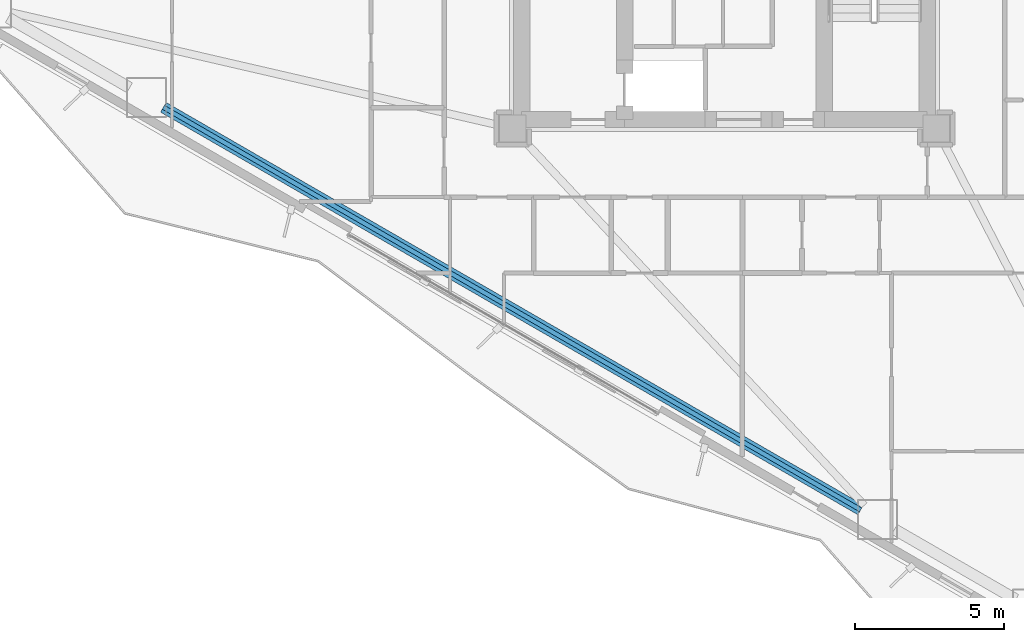
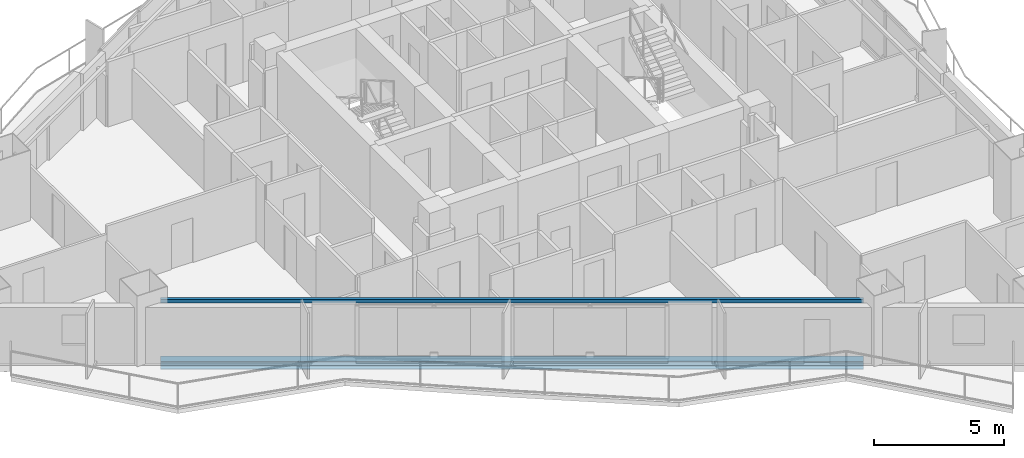
# One storey, part 3 of 19: 2 beams.
"""IFC4 building model written with IfcOpenShell, lengths in metres."""

from ifc_helpers import new_model, si_unit, direction, frame, origin, origin_2d, place, context, subcontext, project, spatial, hollow_rectangle, i_section, extrude, material, material_profile, profile_set, type_object, element, save


model = new_model("IFC4")

# Units and contexts
model_context = context("Model", 3, precision=1e-05, world=origin(), true_north=direction((0.0, 1.0)))
body_context = subcontext(model_context, "Body", "Model", "MODEL_VIEW")
ifc_project = project(units=[si_unit("LENGTHUNIT", "METRE"), si_unit("AREAUNIT", "SQUARE_METRE"), si_unit("VOLUMEUNIT", "CUBIC_METRE"), si_unit("PLANEANGLEUNIT", "RADIAN"), si_unit("MASSUNIT", "GRAM", prefix="KILO")], contexts=[model_context])

# Site, building, storey
site_placement = place(None, origin())
site = spatial("IfcSite", under=ifc_project, at=site_placement, CompositionType="ELEMENT")
building_placement = place(site_placement, origin())
building = spatial("IfcBuilding", under=site, at=building_placement, Name="Mersakhor Tower and Convention Hall", CompositionType="ELEMENT")
storey_placement = place(building_placement, frame((0.0, 0.0, 22.5)))
storey = spatial("IfcBuildingStorey", under=building, at=storey_placement, Name="L05", CompositionType="ELEMENT", Elevation=22.5)

# Beams
ifc_material_1 = material(Name="Steel S355", Category="steel")
ifc_material_profile_1 = material_profile(ifc_material_1, hollow_rectangle(XDim=0.14990234375, YDim=0.14990234375, WallThickness=0.010009765625, at=origin_2d()), Name="SHS 150x150x10")
ifc_profile_set_1 = profile_set([ifc_material_profile_1], Name="Steel S355")
beam_type_1 = type_object("IfcBeamType", Name="BM-GRT-SHS150", PredefinedType="USERDEFINED", material=ifc_profile_set_1)
beam_1_placement = place(storey_placement, frame((33.566162109375, 7.6591796875, 2.47998046875), z_axis=(-0.866025970279, 0.499999018801, 0.0), x_axis=(-0.499999018801, -0.866025970279, 0.0)))
element("IfcBeam", 1, at=beam_1_placement, inside=storey, type_object=beam_type_1, Name="L05 Facade Support Girt GRT-F3", ObjectType="GIRT", PredefinedType="USERDEFINED", context=body_context, shape_type="SweptSolid", body=[
    extrude(hollow_rectangle(XDim=0.14990234375, YDim=0.14990234375, WallThickness=0.010009765625, at=origin_2d()), origin(), (0.0, 0.0, 1.0), 26.99951171875),
])
ifc_material_2 = material(Name="Steel S355", Category="steel")
ifc_material_profile_2 = material_profile(ifc_material_2, i_section(OverallWidth=0.374755859375, OverallDepth=0.37451171875, WebThickness=0.0166015625, FlangeThickness=0.027099609375, at=origin_2d()), Name="UC 356x368x202")
ifc_profile_set_2 = profile_set([ifc_material_profile_2], Name="Steel S355")
beam_type_2 = type_object("IfcBeamType", Name="BM-SPD-UC356", PredefinedType="SPANDREL", material=ifc_profile_set_2)
beam_2_placement = place(storey_placement, frame((33.566162109375, 7.6591796875, -0.447265625), z_axis=(-0.866025970279, 0.499999018801, 0.0), x_axis=(-0.499999018801, -0.866025970279, 0.0)))
element("IfcBeam", 2, at=beam_2_placement, inside=storey, type_object=beam_type_2, Name="L05 Perimeter Spandrel Beam SPB-10", PredefinedType="SPANDREL", context=body_context, shape_type="SweptSolid", body=[
    extrude(i_section(OverallWidth=0.374755859375, OverallDepth=0.37451171875, WebThickness=0.0166015625, FlangeThickness=0.027099609375, at=origin_2d()), origin(), (0.0, 0.0, 1.0), 26.99951171875),
])

save(model, "model.ifc")
